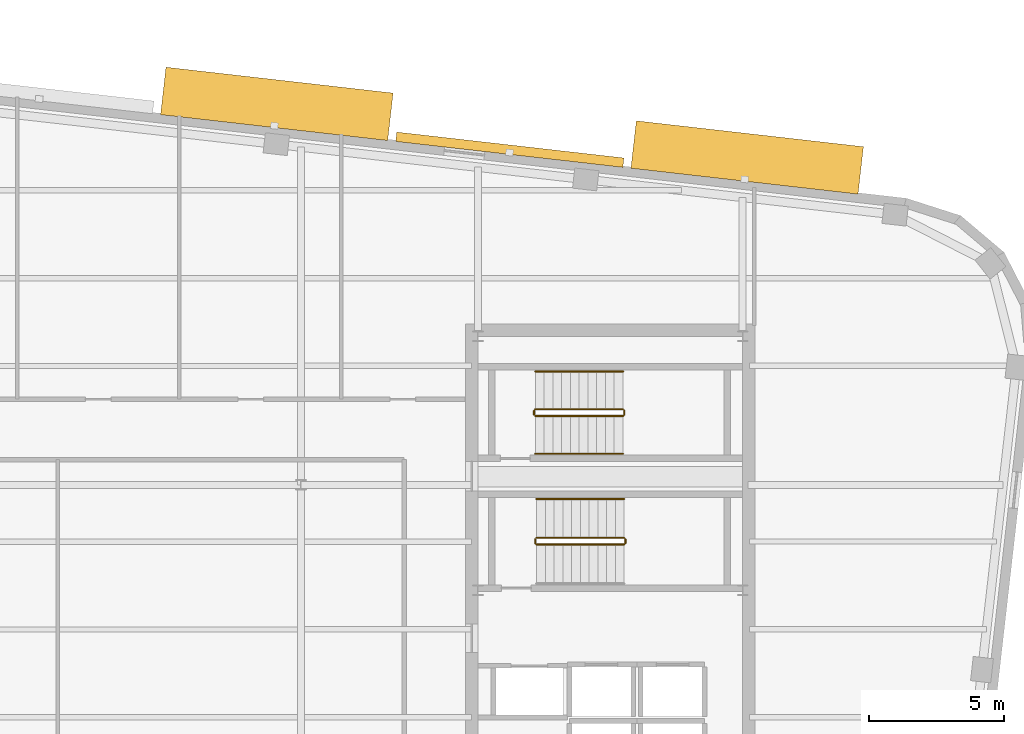
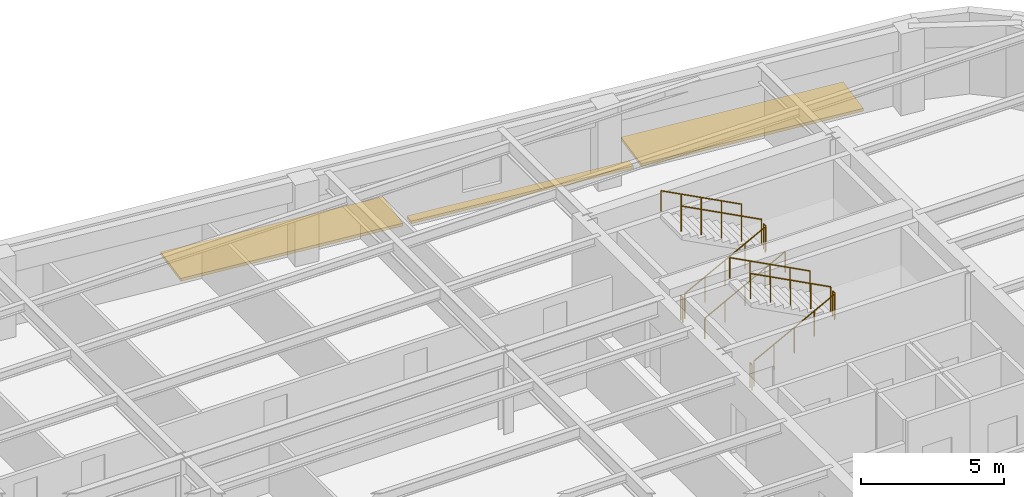
# One storey, part 13 of 13: 11 railings, 3 shading devices.
"""IFC4 building model written with IfcOpenShell, lengths in metres."""

from ifc_helpers import new_model, si_unit, direction, frame, origin, origin_2d, place, context, subcontext, project, spatial, rectangle, circle, extrude, material, type_object, element, save


model = new_model("IFC4")

# Units and contexts
model_context = context("Model", 3, precision=1e-05, world=origin(), true_north=direction((0.0, 1.0)))
body_context = subcontext(model_context, "Body", "Model", "MODEL_VIEW")
ifc_project = project(units=[si_unit("LENGTHUNIT", "METRE"), si_unit("AREAUNIT", "SQUARE_METRE"), si_unit("VOLUMEUNIT", "CUBIC_METRE"), si_unit("PLANEANGLEUNIT", "RADIAN"), si_unit("MASSUNIT", "GRAM", prefix="KILO")], contexts=[model_context])

# Site, building, storey
site_placement = place(None, origin())
site = spatial("IfcSite", under=ifc_project, at=site_placement, CompositionType="ELEMENT")
building_placement = place(site_placement, origin())
building = spatial("IfcBuilding", under=site, at=building_placement, Name="Kolvaren Arena Tower", CompositionType="ELEMENT")
storey_placement = place(building_placement, frame((0.0, 0.0, 254.699951171875)))
storey = spatial("IfcBuildingStorey", under=building, at=storey_placement, Name="L62", CompositionType="ELEMENT", Elevation=254.699951171875)

# Railings
ifc_material_1 = material(Name="Painted galvanized steel", Category="steel")
railing_type_1 = type_object("IfcRailingType", Name="GUARD-ST-110", PredefinedType="GUARDRAIL", material=ifc_material_1)
railing_1_placement = place(storey_placement, frame((52.719970703125, 31.639892578125, 0.17041015625)))
element("IfcRailing", 1, at=railing_1_placement, inside=storey, type_object=railing_type_1, Name="L62 ST-E1 stair guard 1", PredefinedType="GUARDRAIL", context=body_context, shape_type="SweptSolid", body=[
    extrude(circle(Radius=0.02392578125, at=origin_2d()), frame((0.0, 0.0, 1.076171875), z_axis=(0.884993431791, 0.0, 0.465603506952), x_axis=(0.0, 1.0, 0.0)), (0.0, 0.0, 1.0), 3.6611328125),
    extrude(circle(Radius=0.02099609375, at=origin_2d()), origin(), (0.0, 0.0, 1.0), 1.052001953125),
    extrude(circle(Radius=0.02099609375, at=origin_2d()), frame((0.81005859375, 0.0, 0.42626953125)), (0.0, 0.0, 1.0), 1.052001953125),
    extrude(circle(Radius=0.02099609375, at=origin_2d()), frame((1.6201171875, 0.0, 0.852294921875)), (0.0, 0.0, 1.0), 1.052001953125),
    extrude(circle(Radius=0.02099609375, at=origin_2d()), frame((2.429931640625, 0.0, 1.2783203125)), (0.0, 0.0, 1.0), 1.052001953125),
    extrude(circle(Radius=0.02099609375, at=origin_2d()), frame((3.239990234375, 0.0, 1.70458984375)), (0.0, 0.0, 1.0), 1.052001953125),
])
railing_2_placement = place(storey_placement, frame((56.010009765625, 31.68994140625, 1.875)))
element("IfcRailing", 2, at=railing_2_placement, inside=storey, type_object=railing_type_1, Name="L62 ST-E1 stair guard 2", PredefinedType="GUARDRAIL", context=body_context, shape_type="SweptSolid", body=[
    extrude(circle(Radius=0.02392578125, at=origin_2d()), frame((0.0, 0.0, 1.076171875), z_axis=(0.0, 1.0, 0.0), x_axis=(-1.0, 0.0, 0.0)), (0.0, 0.0, 1.0), 0.150146484375),
    extrude(circle(Radius=0.02099609375, at=origin_2d()), origin(), (0.0, 0.0, 1.0), 1.052001953125),
    extrude(circle(Radius=0.02099609375, at=origin_2d()), frame((0.0, 0.150146484375, 0.0)), (0.0, 0.0, 1.0), 1.052001953125),
])
railing_3_placement = place(storey_placement, frame((55.9599609375, 31.889892578125, 2.04541015625)))
element("IfcRailing", 3, at=railing_3_placement, inside=storey, type_object=railing_type_1, Name="L62 ST-E1 stair guard 3", PredefinedType="GUARDRAIL", context=body_context, shape_type="SweptSolid", body=[
    extrude(circle(Radius=0.02392578125, at=origin_2d()), frame((0.0, 0.0, 1.076171875), z_axis=(-0.884993431791, 0.0, 0.465603506952), x_axis=(0.0, -1.0, 0.0)), (0.0, 0.0, 1.0), 3.6611328125),
    extrude(circle(Radius=0.02099609375, at=origin_2d()), origin(), (0.0, 0.0, 1.0), 1.052001953125),
    extrude(circle(Radius=0.02099609375, at=origin_2d()), frame((-0.81005859375, 0.0, 0.42626953125)), (0.0, 0.0, 1.0), 1.052001953125),
    extrude(circle(Radius=0.02099609375, at=origin_2d()), frame((-1.6201171875, 0.0, 0.852294921875)), (0.0, 0.0, 1.0), 1.052001953125),
    extrude(circle(Radius=0.02099609375, at=origin_2d()), frame((-2.429931640625, 0.0, 1.2783203125)), (0.0, 0.0, 1.0), 1.052001953125),
    extrude(circle(Radius=0.02099609375, at=origin_2d()), frame((-3.239990234375, 0.0, 1.70458984375)), (0.0, 0.0, 1.0), 1.052001953125),
])
railing_4_placement = place(storey_placement, frame((52.669921875, 31.68994140625, 0.0)))
element("IfcRailing", 4, at=railing_4_placement, inside=storey, type_object=railing_type_1, Name="L62 ST-E1 stair guard 4", PredefinedType="GUARDRAIL", context=body_context, shape_type="SweptSolid", body=[
    extrude(circle(Radius=0.02392578125, at=origin_2d()), frame((0.0, 0.0, 1.076171875), z_axis=(0.0, 1.0, 0.0), x_axis=(-1.0, 0.0, 0.0)), (0.0, 0.0, 1.0), 0.150146484375),
    extrude(circle(Radius=0.02099609375, at=origin_2d()), origin(), (0.0, 0.0, 1.0), 1.052001953125),
    extrude(circle(Radius=0.02099609375, at=origin_2d()), frame((0.0, 0.150146484375, 0.0)), (0.0, 0.0, 1.0), 1.052001953125),
])
railing_5_placement = place(storey_placement, frame((52.679931640625, 36.39990234375, 0.17041015625)))
element("IfcRailing", 5, at=railing_5_placement, inside=storey, type_object=railing_type_1, Name="L62 ST-E2 stair guard 1", PredefinedType="GUARDRAIL", context=body_context, shape_type="SweptSolid", body=[
    extrude(circle(Radius=0.02392578125, at=origin_2d()), frame((0.0, 0.0, 1.076171875), z_axis=(0.884993431791, 0.0, 0.465603506952), x_axis=(0.0, 1.0, 0.0)), (0.0, 0.0, 1.0), 3.6611328125),
    extrude(circle(Radius=0.02099609375, at=origin_2d()), origin(), (0.0, 0.0, 1.0), 1.052001953125),
    extrude(circle(Radius=0.02099609375, at=origin_2d()), frame((0.81005859375, 0.0, 0.42626953125)), (0.0, 0.0, 1.0), 1.052001953125),
    extrude(circle(Radius=0.02099609375, at=origin_2d()), frame((1.6201171875, 0.0, 0.852294921875)), (0.0, 0.0, 1.0), 1.052001953125),
    extrude(circle(Radius=0.02099609375, at=origin_2d()), frame((2.429931640625, 0.0, 1.2783203125)), (0.0, 0.0, 1.0), 1.052001953125),
    extrude(circle(Radius=0.02099609375, at=origin_2d()), frame((3.239990234375, 0.0, 1.70458984375)), (0.0, 0.0, 1.0), 1.052001953125),
])
railing_6_placement = place(storey_placement, frame((55.969970703125, 36.449951171875, 1.875)))
element("IfcRailing", 6, at=railing_6_placement, inside=storey, type_object=railing_type_1, Name="L62 ST-E2 stair guard 2", PredefinedType="GUARDRAIL", context=body_context, shape_type="SweptSolid", body=[
    extrude(circle(Radius=0.02392578125, at=origin_2d()), frame((0.0, 0.0, 1.076171875), z_axis=(0.0, 1.0, 0.0), x_axis=(-1.0, 0.0, 0.0)), (0.0, 0.0, 1.0), 0.150146484375),
    extrude(circle(Radius=0.02099609375, at=origin_2d()), origin(), (0.0, 0.0, 1.0), 1.052001953125),
    extrude(circle(Radius=0.02099609375, at=origin_2d()), frame((0.0, 0.150146484375, 0.0)), (0.0, 0.0, 1.0), 1.052001953125),
])
railing_7_placement = place(storey_placement, frame((55.919921875, 36.64990234375, 2.04541015625)))
element("IfcRailing", 7, at=railing_7_placement, inside=storey, type_object=railing_type_1, Name="L62 ST-E2 stair guard 3", PredefinedType="GUARDRAIL", context=body_context, shape_type="SweptSolid", body=[
    extrude(circle(Radius=0.02392578125, at=origin_2d()), frame((0.0, 0.0, 1.076171875), z_axis=(-0.884993431791, 0.0, 0.465603506952), x_axis=(0.0, -1.0, 0.0)), (0.0, 0.0, 1.0), 3.6611328125),
    extrude(circle(Radius=0.02099609375, at=origin_2d()), origin(), (0.0, 0.0, 1.0), 1.052001953125),
    extrude(circle(Radius=0.02099609375, at=origin_2d()), frame((-0.81005859375, 0.0, 0.42626953125)), (0.0, 0.0, 1.0), 1.052001953125),
    extrude(circle(Radius=0.02099609375, at=origin_2d()), frame((-1.6201171875, 0.0, 0.852294921875)), (0.0, 0.0, 1.0), 1.052001953125),
    extrude(circle(Radius=0.02099609375, at=origin_2d()), frame((-2.429931640625, 0.0, 1.2783203125)), (0.0, 0.0, 1.0), 1.052001953125),
    extrude(circle(Radius=0.02099609375, at=origin_2d()), frame((-3.239990234375, 0.0, 1.70458984375)), (0.0, 0.0, 1.0), 1.052001953125),
])
railing_8_placement = place(storey_placement, frame((52.6298828125, 36.449951171875, 0.0)))
element("IfcRailing", 8, at=railing_8_placement, inside=storey, type_object=railing_type_1, Name="L62 ST-E2 stair guard 4", PredefinedType="GUARDRAIL", context=body_context, shape_type="SweptSolid", body=[
    extrude(circle(Radius=0.02392578125, at=origin_2d()), frame((0.0, 0.0, 1.076171875), z_axis=(0.0, 1.0, 0.0), x_axis=(-1.0, 0.0, 0.0)), (0.0, 0.0, 1.0), 0.150146484375),
    extrude(circle(Radius=0.02099609375, at=origin_2d()), origin(), (0.0, 0.0, 1.0), 1.052001953125),
    extrude(circle(Radius=0.02099609375, at=origin_2d()), frame((0.0, 0.150146484375, 0.0)), (0.0, 0.0, 1.0), 1.052001953125),
])
ifc_material_2 = material(Name="Brushed stainless steel handrail", Category="steel")
railing_type_2 = type_object("IfcRailingType", Name="HRAIL-900", PredefinedType="HANDRAIL", material=ifc_material_2)
railing_9_placement = place(storey_placement, frame((55.9599609375, 33.330078125, 2.04541015625)))
element("IfcRailing", 9, at=railing_9_placement, inside=storey, type_object=railing_type_2, Name="L62 ST-E1 stair handrail 2", PredefinedType="HANDRAIL", context=body_context, shape_type="SweptSolid", body=[
    extrude(circle(Radius=0.02392578125, at=origin_2d()), frame((0.0, 0.0, 0.8759765625), z_axis=(-0.884993431791, 0.0, 0.465603506952), x_axis=(0.0, -1.0, 0.0)), (0.0, 0.0, 1.0), 3.6611328125),
    extrude(circle(Radius=0.02099609375, at=origin_2d()), origin(), (0.0, 0.0, 1.0), 0.851806640625),
    extrude(circle(Radius=0.02099609375, at=origin_2d()), frame((-0.81005859375, 0.0, 0.42626953125)), (0.0, 0.0, 1.0), 0.851806640625),
    extrude(circle(Radius=0.02099609375, at=origin_2d()), frame((-1.6201171875, 0.0, 0.852294921875)), (0.0, 0.0, 1.0), 0.851806640625),
    extrude(circle(Radius=0.02099609375, at=origin_2d()), frame((-2.429931640625, 0.0, 1.2783203125)), (0.0, 0.0, 1.0), 0.851806640625),
    extrude(circle(Radius=0.02099609375, at=origin_2d()), frame((-3.239990234375, 0.0, 1.70458984375)), (0.0, 0.0, 1.0), 0.851806640625),
])
railing_10_placement = place(storey_placement, frame((52.679931640625, 35.0, 0.17041015625)))
element("IfcRailing", 10, at=railing_10_placement, inside=storey, type_object=railing_type_2, Name="L62 ST-E2 stair handrail 1", PredefinedType="HANDRAIL", context=body_context, shape_type="SweptSolid", body=[
    extrude(circle(Radius=0.02392578125, at=origin_2d()), frame((0.0, 0.0, 0.8759765625), z_axis=(0.884993431791, 0.0, 0.465603506952), x_axis=(0.0, 1.0, 0.0)), (0.0, 0.0, 1.0), 3.6611328125),
    extrude(circle(Radius=0.02099609375, at=origin_2d()), origin(), (0.0, 0.0, 1.0), 0.851806640625),
    extrude(circle(Radius=0.02099609375, at=origin_2d()), frame((0.81005859375, 0.0, 0.42626953125)), (0.0, 0.0, 1.0), 0.851806640625),
    extrude(circle(Radius=0.02099609375, at=origin_2d()), frame((1.6201171875, 0.0, 0.852294921875)), (0.0, 0.0, 1.0), 0.851806640625),
    extrude(circle(Radius=0.02099609375, at=origin_2d()), frame((2.429931640625, 0.0, 1.2783203125)), (0.0, 0.0, 1.0), 0.851806640625),
    extrude(circle(Radius=0.02099609375, at=origin_2d()), frame((3.239990234375, 0.0, 1.70458984375)), (0.0, 0.0, 1.0), 0.851806640625),
])
railing_11_placement = place(storey_placement, frame((55.919921875, 38.050048828125, 2.04541015625)))
element("IfcRailing", 11, at=railing_11_placement, inside=storey, type_object=railing_type_2, Name="L62 ST-E2 stair handrail 2", PredefinedType="HANDRAIL", context=body_context, shape_type="SweptSolid", body=[
    extrude(circle(Radius=0.02392578125, at=origin_2d()), frame((0.0, 0.0, 0.8759765625), z_axis=(-0.884993431791, 0.0, 0.465603506952), x_axis=(0.0, -1.0, 0.0)), (0.0, 0.0, 1.0), 3.6611328125),
    extrude(circle(Radius=0.02099609375, at=origin_2d()), origin(), (0.0, 0.0, 1.0), 0.851806640625),
    extrude(circle(Radius=0.02099609375, at=origin_2d()), frame((-0.81005859375, 0.0, 0.42626953125)), (0.0, 0.0, 1.0), 0.851806640625),
    extrude(circle(Radius=0.02099609375, at=origin_2d()), frame((-1.6201171875, 0.0, 0.852294921875)), (0.0, 0.0, 1.0), 0.851806640625),
    extrude(circle(Radius=0.02099609375, at=origin_2d()), frame((-2.429931640625, 0.0, 1.2783203125)), (0.0, 0.0, 1.0), 0.851806640625),
    extrude(circle(Radius=0.02099609375, at=origin_2d()), frame((-3.239990234375, 0.0, 1.70458984375)), (0.0, 0.0, 1.0), 0.851806640625),
])

# Shading devices
ifc_material_3 = material(Name="Architectural precast GFRC and anodised aluminium sunshade", Category="concrete")
shading_device_type_1 = type_object("IfcShadingDeviceType", Name="SHAD-SINE-A", PredefinedType="USERDEFINED", material=ifc_material_3)
shading_device_1_placement = place(storey_placement, frame((51.73291015625, 46.25390625, -0.139892578125), z_axis=(0.0, 0.0, 1.0), x_axis=(0.993571658098, -0.113204947878, 0.0)))
element("IfcShadingDevice", 12, at=shading_device_1_placement, inside=storey, type_object=shading_device_type_1, Name="Sinusoidal Slab-Edge Sunshade Louvre (L62)", ObjectType="LOUVRE", PredefinedType="USERDEFINED", context=body_context, shape_type="SweptSolid", body=[
    extrude(rectangle(XDim=8.4599609375, YDim=0.35009765625, at=origin_2d()), origin(), (0.0, 0.0, 1.0), 0.1201171875),
])
shading_device_type_2 = type_object("IfcShadingDeviceType", Name="SHAD-SINE-B", PredefinedType="JALOUSIE", material=ifc_material_3)
shading_device_2_placement = place(storey_placement, frame((43.109619140625, 47.950439453125, -0.139892578125), z_axis=(0.0, 0.0, 1.0), x_axis=(0.993571658098, -0.113204947878, 0.0)))
element("IfcShadingDevice", 13, at=shading_device_2_placement, inside=storey, type_object=shading_device_type_2, Name="Sinusoidal Slab-Edge Sunshade Louvre (L62)", PredefinedType="JALOUSIE", context=body_context, shape_type="SweptSolid", body=[
    extrude(rectangle(XDim=8.4599609375, YDim=1.768798828125, at=origin_2d()), origin(), (0.0, 0.0, 1.0), 0.1201171875),
])
shading_device_3_placement = place(storey_placement, frame((60.5166015625, 45.96630859375, -0.139892578125), z_axis=(0.0, 0.0, 1.0), x_axis=(0.993571658098, -0.113204947878, 0.0)))
element("IfcShadingDevice", 14, at=shading_device_3_placement, inside=storey, type_object=shading_device_type_2, Name="Sinusoidal Slab-Edge Sunshade Louvre (L62)", PredefinedType="JALOUSIE", context=body_context, shape_type="SweptSolid", body=[
    extrude(rectangle(XDim=8.4599609375, YDim=1.76708984375, at=origin_2d()), origin(), (0.0, 0.0, 1.0), 0.1201171875),
])

save(model, "model.ifc")
